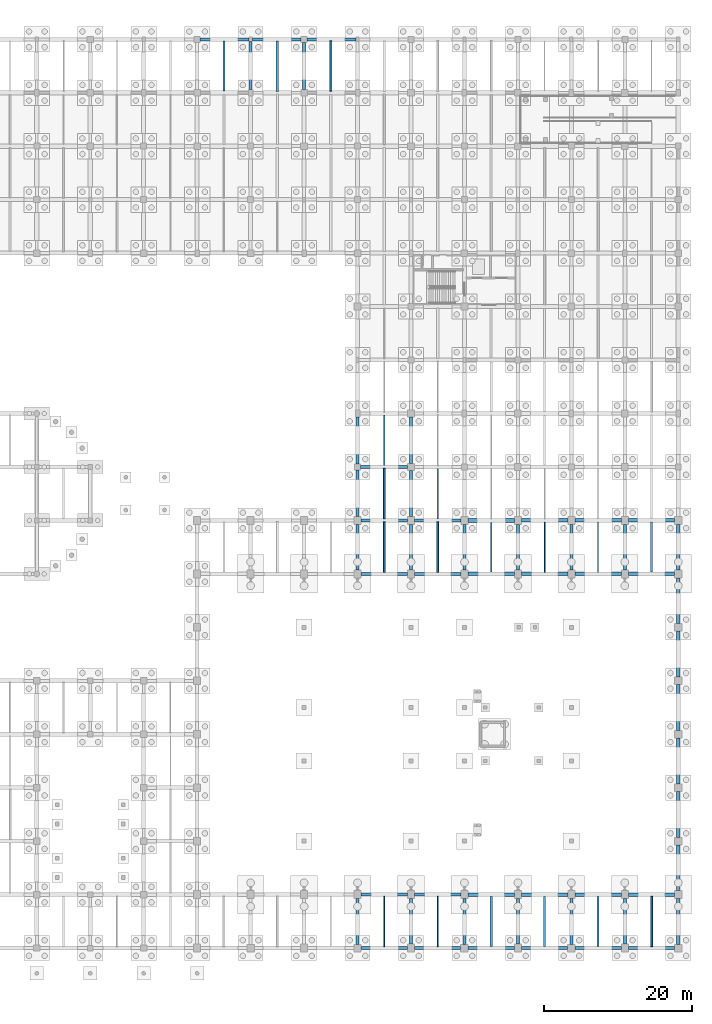
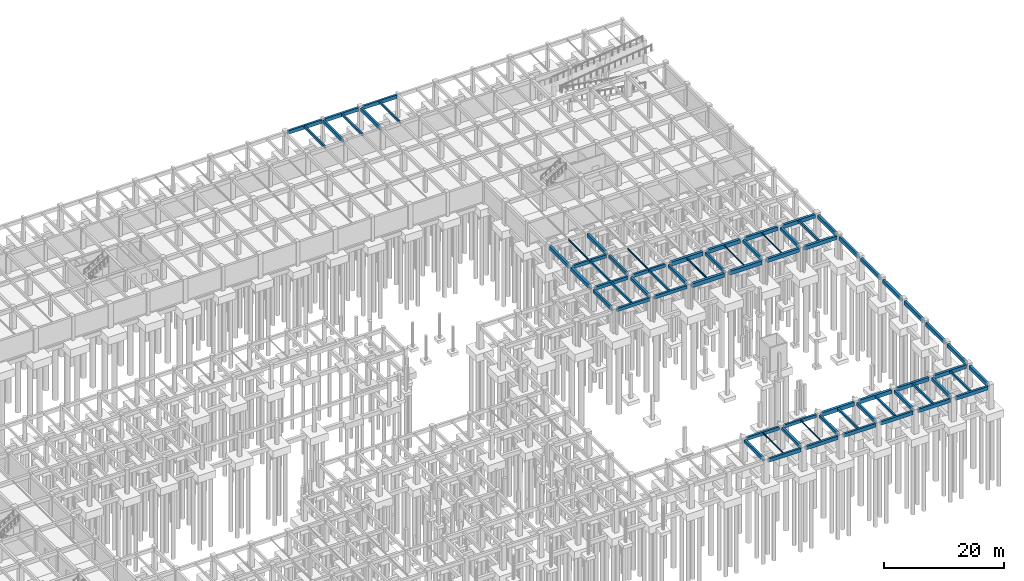
# One storey, part 33 of 47: 72 beams.
"""IFC4 building model written with IfcOpenShell, lengths in metres."""

from ifc_helpers import new_model, si_unit, direction, frame, origin, origin_2d, place, context, subcontext, project, spatial, rectangle, i_section, extrude, material, material_profile, profile_set, type_object, element, save


model = new_model("IFC4")

# Units and contexts
model_context = context("Model", 3, precision=1e-05, world=origin(), true_north=direction((0.0, 1.0)))
body_context = subcontext(model_context, "Body", "Model", "MODEL_VIEW")
ifc_project = project(units=[si_unit("LENGTHUNIT", "METRE"), si_unit("AREAUNIT", "SQUARE_METRE"), si_unit("VOLUMEUNIT", "CUBIC_METRE"), si_unit("PLANEANGLEUNIT", "RADIAN"), si_unit("MASSUNIT", "GRAM", prefix="KILO")], contexts=[model_context])

# Site, building, storey
site_placement = place(None, origin())
site = spatial("IfcSite", under=ifc_project, at=site_placement, CompositionType="ELEMENT")
building_placement = place(site_placement, origin())
building = spatial("IfcBuilding", under=site, at=building_placement, Name="Thalmaran Polytechnic", CompositionType="ELEMENT")
storey_placement = place(building_placement, frame((0.0, 0.0, -4.5)))
storey = spatial("IfcBuildingStorey", under=building, at=storey_placement, Name="B1", CompositionType="ELEMENT", Elevation=-4.5)

# Beams
ifc_material_1 = material(Name="Concrete C40/50", Category="concrete")
ifc_material_profile_1 = material_profile(ifc_material_1, rectangle(XDim=0.5, YDim=0.800048828125, at=origin_2d()), Name="RC 500x800")
ifc_profile_set_1 = profile_set([ifc_material_profile_1], Name="Concrete C40/50")
beam_type_1 = type_object("IfcBeamType", Name="BM-RC02", PredefinedType="BEAM", material=ifc_profile_set_1)
for number, where, z_axis, x_axis, name in (
    (1, (144.47509765625, 7.199951171875, 3.739990234375), (1.0, 0.0, 0.0), (0.0, 1.0, 0.0), "Grid Beam B02 B1 X(20,1)"),
    (2, (144.47509765625, 50.39990234375, 3.739990234375), (1.0, 0.0, 0.0), (0.0, 1.0, 0.0), "Grid Beam B02 B1 X(20,7)"),
    (3, (144.47509765625, 57.60009765625, 3.739990234375), (1.0, 0.0, 0.0), (0.0, 1.0, 0.0), "Grid Beam B02 B1 X(20,8)"),
):
    element("IfcBeam", number, at=place(storey_placement, frame(where, z_axis=z_axis, x_axis=x_axis)), inside=storey, type_object=beam_type_1, Name=name, PredefinedType="BEAM", context=body_context, shape_type="SweptSolid", body=[
        extrude(rectangle(XDim=0.5, YDim=0.800048828125, at=origin_2d()), origin(), (0.0, 0.0, 1.0), 6.25),
    ])
ifc_material_profile_2 = material_profile(ifc_material_1, rectangle(XDim=0.449951171875, YDim=0.75, at=origin_2d()), Name="RC 450x750")
ifc_profile_set_2 = profile_set([ifc_material_profile_2], Name="Concrete C40/50")
beam_type_2 = type_object("IfcBeamType", Name="BM-RC03", PredefinedType="BEAM", material=ifc_profile_set_2)
for number, where, z_axis, x_axis, name in (
    (4, (158.875, 7.199951171875, 3.764892578125), (1.0, 0.0, 0.0), (0.0, 1.0, 0.0), "Grid Beam B03 B1 X(22,1)"),
    (5, (158.875, 50.39990234375, 3.764892578125), (1.0, 0.0, 0.0), (0.0, 1.0, 0.0), "Grid Beam B03 B1 X(22,7)"),
    (6, (158.875, 57.60009765625, 3.764892578125), (1.0, 0.0, 0.0), (0.0, 1.0, 0.0), "Grid Beam B03 B1 X(22,8)"),
):
    element("IfcBeam", number, at=place(storey_placement, frame(where, z_axis=z_axis, x_axis=x_axis)), inside=storey, type_object=beam_type_2, Name=name, PredefinedType="BEAM", context=body_context, shape_type="SweptSolid", body=[
        extrude(rectangle(XDim=0.449951171875, YDim=0.75, at=origin_2d()), origin(), (0.0, 0.0, 1.0), 6.25),
    ])
ifc_material_profile_3 = material_profile(ifc_material_1, rectangle(XDim=0.39990234375, YDim=0.64990234375, at=origin_2d()), Name="RC 400x650")
ifc_profile_set_3 = profile_set([ifc_material_profile_3], Name="Concrete C40/50")
beam_type_3 = type_object("IfcBeamType", Name="BM-RC06", PredefinedType="BEAM", material=ifc_profile_set_3)
for number, where, z_axis, x_axis, name in (
    (7, (130.074951171875, 7.199951171875, 3.81494140625), (1.0, 0.0, 0.0), (0.0, 1.0, 0.0), "Grid Beam B06 B1 X(18,1)"),
    (8, (130.074951171875, 50.39990234375, 3.81494140625), (1.0, 0.0, 0.0), (0.0, 1.0, 0.0), "Grid Beam B06 B1 X(18,7)"),
    (9, (130.074951171875, 57.60009765625, 3.81494140625), (1.0, 0.0, 0.0), (0.0, 1.0, 0.0), "Grid Beam B06 B1 X(18,8)"),
):
    element("IfcBeam", number, at=place(storey_placement, frame(where, z_axis=z_axis, x_axis=x_axis)), inside=storey, type_object=beam_type_3, Name=name, PredefinedType="BEAM", context=body_context, shape_type="SweptSolid", body=[
        extrude(rectangle(XDim=0.39990234375, YDim=0.64990234375, at=origin_2d()), origin(), (0.0, 0.0, 1.0), 6.25),
    ])
beam_1_placement = place(storey_placement, frame((130.0, 64.800048828125, 3.864990234375), z_axis=(1.0, 0.0, 0.0), x_axis=(0.0, 1.0, 0.0)))
element("IfcBeam", 10, at=beam_1_placement, inside=storey, type_object=beam_type_3, Name="Grid Beam B06 B1 X(18,9)", PredefinedType="BEAM", context=body_context, shape_type="SweptSolid", body=[
    extrude(rectangle(XDim=0.39990234375, YDim=0.64990234375, at=origin_2d()), origin(), (0.0, 0.0, 1.0), 6.35009765625),
])
ifc_material_profile_4 = material_profile(ifc_material_1, rectangle(XDim=0.39990234375, YDim=0.6298828125, at=origin_2d()), Name="RC 400x630")
ifc_profile_set_4 = profile_set([ifc_material_profile_4], Name="Concrete C40/50")
beam_type_4 = type_object("IfcBeamType", Name="BM-RC07", PredefinedType="BEAM", material=ifc_profile_set_4)
beam_2_placement = place(storey_placement, frame((129.60009765625, 0.5, 3.824951171875), z_axis=(0.0, 1.0, 0.0), x_axis=(-1.0, 0.0, 0.0)))
element("IfcBeam", 11, at=beam_2_placement, inside=storey, type_object=beam_type_4, Name="Grid Beam B07 B1 Y(18,0)", PredefinedType="BEAM", context=body_context, shape_type="SweptSolid", body=[
    extrude(rectangle(XDim=0.39990234375, YDim=0.6298828125, at=origin_2d()), origin(), (0.0, 0.0, 1.0), 6.175048828125),
])
beam_3_placement = place(storey_placement, frame((129.60009765625, 50.925048828125, 3.824951171875), z_axis=(0.0, 1.0, 0.0), x_axis=(-1.0, 0.0, 0.0)))
element("IfcBeam", 12, at=beam_3_placement, inside=storey, type_object=beam_type_4, Name="Grid Beam B07 B1 Y(18,7)", PredefinedType="BEAM", context=body_context, shape_type="SweptSolid", body=[
    extrude(rectangle(XDim=0.39990234375, YDim=0.6298828125, at=origin_2d()), origin(), (0.0, 0.0, 1.0), 6.14990234375),
])
beam_4_placement = place(storey_placement, frame((136.800048828125, 0.52490234375, 3.824951171875), z_axis=(0.0, 1.0, 0.0), x_axis=(-1.0, 0.0, 0.0)))
element("IfcBeam", 13, at=beam_4_placement, inside=storey, type_object=beam_type_4, Name="Grid Beam B07 B1 Y(19,0)", PredefinedType="BEAM", context=body_context, shape_type="SweptSolid", body=[
    extrude(rectangle(XDim=0.39990234375, YDim=0.6298828125, at=origin_2d()), origin(), (0.0, 0.0, 1.0), 6.150146484375),
])
beam_5_placement = place(storey_placement, frame((136.800048828125, 50.925048828125, 3.824951171875), z_axis=(0.0, 1.0, 0.0), x_axis=(-1.0, 0.0, 0.0)))
element("IfcBeam", 14, at=beam_5_placement, inside=storey, type_object=beam_type_4, Name="Grid Beam B07 B1 Y(19,7)", PredefinedType="BEAM", context=body_context, shape_type="SweptSolid", body=[
    extrude(rectangle(XDim=0.39990234375, YDim=0.6298828125, at=origin_2d()), origin(), (0.0, 0.0, 1.0), 6.14990234375),
])
beam_6_placement = place(storey_placement, frame((144.0, 0.5, 3.824951171875), z_axis=(0.0, 1.0, 0.0), x_axis=(-1.0, 0.0, 0.0)))
element("IfcBeam", 15, at=beam_6_placement, inside=storey, type_object=beam_type_4, Name="Grid Beam B07 B1 Y(20,0)", PredefinedType="BEAM", context=body_context, shape_type="SweptSolid", body=[
    extrude(rectangle(XDim=0.39990234375, YDim=0.6298828125, at=origin_2d()), origin(), (0.0, 0.0, 1.0), 6.175048828125),
])
beam_7_placement = place(storey_placement, frame((144.0, 50.925048828125, 3.824951171875), z_axis=(0.0, 1.0, 0.0), x_axis=(-1.0, 0.0, 0.0)))
element("IfcBeam", 16, at=beam_7_placement, inside=storey, type_object=beam_type_4, Name="Grid Beam B07 B1 Y(20,7)", PredefinedType="BEAM", context=body_context, shape_type="SweptSolid", body=[
    extrude(rectangle(XDim=0.39990234375, YDim=0.6298828125, at=origin_2d()), origin(), (0.0, 0.0, 1.0), 6.14990234375),
])
beam_8_placement = place(storey_placement, frame((151.199951171875, 0.52490234375, 3.824951171875), z_axis=(0.0, 1.0, 0.0), x_axis=(-1.0, 0.0, 0.0)))
element("IfcBeam", 17, at=beam_8_placement, inside=storey, type_object=beam_type_4, Name="Grid Beam B07 B1 Y(21,0)", PredefinedType="BEAM", context=body_context, shape_type="SweptSolid", body=[
    extrude(rectangle(XDim=0.39990234375, YDim=0.6298828125, at=origin_2d()), origin(), (0.0, 0.0, 1.0), 6.150146484375),
])
beam_9_placement = place(storey_placement, frame((151.199951171875, 50.925048828125, 3.824951171875), z_axis=(0.0, 1.0, 0.0), x_axis=(-1.0, 0.0, 0.0)))
element("IfcBeam", 18, at=beam_9_placement, inside=storey, type_object=beam_type_4, Name="Grid Beam B07 B1 Y(21,7)", PredefinedType="BEAM", context=body_context, shape_type="SweptSolid", body=[
    extrude(rectangle(XDim=0.39990234375, YDim=0.6298828125, at=origin_2d()), origin(), (0.0, 0.0, 1.0), 6.14990234375),
])
beam_10_placement = place(storey_placement, frame((158.39990234375, 0.5, 3.824951171875), z_axis=(0.0, 1.0, 0.0), x_axis=(-1.0, 0.0, 0.0)))
element("IfcBeam", 19, at=beam_10_placement, inside=storey, type_object=beam_type_4, Name="Grid Beam B07 B1 Y(22,0)", PredefinedType="BEAM", context=body_context, shape_type="SweptSolid", body=[
    extrude(rectangle(XDim=0.39990234375, YDim=0.6298828125, at=origin_2d()), origin(), (0.0, 0.0, 1.0), 6.175048828125),
])
beam_11_placement = place(storey_placement, frame((158.39990234375, 50.925048828125, 3.824951171875), z_axis=(0.0, 1.0, 0.0), x_axis=(-1.0, 0.0, 0.0)))
element("IfcBeam", 20, at=beam_11_placement, inside=storey, type_object=beam_type_4, Name="Grid Beam B07 B1 Y(22,7)", PredefinedType="BEAM", context=body_context, shape_type="SweptSolid", body=[
    extrude(rectangle(XDim=0.39990234375, YDim=0.6298828125, at=origin_2d()), origin(), (0.0, 0.0, 1.0), 6.14990234375),
])
beam_12_placement = place(storey_placement, frame((165.60009765625, 0.52490234375, 3.824951171875), z_axis=(0.0, 1.0, 0.0), x_axis=(-1.0, 0.0, 0.0)))
element("IfcBeam", 21, at=beam_12_placement, inside=storey, type_object=beam_type_4, Name="Grid Beam B07 B1 Y(23,0)", PredefinedType="BEAM", context=body_context, shape_type="SweptSolid", body=[
    extrude(rectangle(XDim=0.39990234375, YDim=0.6298828125, at=origin_2d()), origin(), (0.0, 0.0, 1.0), 6.150146484375),
])
beam_13_placement = place(storey_placement, frame((165.60009765625, 50.925048828125, 3.824951171875), z_axis=(0.0, 1.0, 0.0), x_axis=(-1.0, 0.0, 0.0)))
element("IfcBeam", 22, at=beam_13_placement, inside=storey, type_object=beam_type_4, Name="Grid Beam B07 B1 Y(23,7)", PredefinedType="BEAM", context=body_context, shape_type="SweptSolid", body=[
    extrude(rectangle(XDim=0.39990234375, YDim=0.6298828125, at=origin_2d()), origin(), (0.0, 0.0, 1.0), 6.14990234375),
])
ifc_material_profile_5 = material_profile(ifc_material_1, rectangle(XDim=0.389892578125, YDim=0.68505859375, at=origin_2d()), Name="RC 390x685")
ifc_profile_set_5 = profile_set([ifc_material_profile_5], Name="Concrete C40/50")
beam_type_5 = type_object("IfcBeamType", Name="BM-RC08", PredefinedType="BEAM", material=ifc_profile_set_5)
beam_14_placement = place(storey_placement, frame((115.199951171875, 115.64990234375, 3.827392578125), z_axis=(0.0, 1.0, 0.0), x_axis=(-1.0, 0.0, 0.0)))
element("IfcBeam", 23, at=beam_14_placement, inside=storey, type_object=beam_type_5, Name="Grid Beam B08 B1 Y(16,16)", PredefinedType="BEAM", context=body_context, shape_type="SweptSolid", body=[
    extrude(rectangle(XDim=0.389892578125, YDim=0.68505859375, at=origin_2d()), origin(), (0.0, 0.0, 1.0), 6.425048828125),
])
beam_15_placement = place(storey_placement, frame((122.39990234375, 115.639892578125, 3.827392578125), z_axis=(0.0, 1.0, 0.0), x_axis=(-1.0, 0.0, 0.0)))
element("IfcBeam", 24, at=beam_15_placement, inside=storey, type_object=beam_type_5, Name="Grid Beam B08 B1 Y(17,16)", PredefinedType="BEAM", context=body_context, shape_type="SweptSolid", body=[
    extrude(rectangle(XDim=0.389892578125, YDim=0.68505859375, at=origin_2d()), origin(), (0.0, 0.0, 1.0), 6.35009765625),
])
beam_16_placement = place(storey_placement, frame((136.800048828125, 65.25, 3.847412109375), z_axis=(0.0, 1.0, 0.0), x_axis=(-1.0, 0.0, 0.0)))
element("IfcBeam", 25, at=beam_16_placement, inside=storey, type_object=beam_type_5, Name="Grid Beam B08 B1 Y(19,9)", PredefinedType="BEAM", context=body_context, shape_type="SweptSolid", body=[
    extrude(rectangle(XDim=0.389892578125, YDim=0.68505859375, at=origin_2d()), origin(), (0.0, 0.0, 1.0), 6.31005859375),
])
ifc_material_profile_6 = material_profile(ifc_material_1, rectangle(XDim=0.300048828125, YDim=0.5, at=origin_2d()), Name="RC 300x500")
ifc_profile_set_6 = profile_set([ifc_material_profile_6], Name="Concrete C40/50")
beam_type_6 = type_object("IfcBeamType", Name="BM-RC11", PredefinedType="JOIST", material=ifc_profile_set_6)
beam_17_placement = place(storey_placement, frame((147.60009765625, 0.199951171875, 3.889892578125), z_axis=(0.0, 1.0, 0.0), x_axis=(-1.0, 0.0, 0.0)))
element("IfcBeam", 26, at=beam_17_placement, inside=storey, type_object=beam_type_6, Name="Secondary Floor Rib RB01 B1 (20,0)", PredefinedType="JOIST", context=body_context, shape_type="SweptSolid", body=[
    extrude(rectangle(XDim=0.300048828125, YDim=0.5, at=origin_2d()), origin(), (0.0, 0.0, 1.0), 6.75),
])
beam_18_placement = place(storey_placement, frame((169.199951171875, 50.6298828125, 3.889892578125), z_axis=(0.0, 1.0, 0.0), x_axis=(-1.0, 0.0, 0.0)))
element("IfcBeam", 27, at=beam_18_placement, inside=storey, type_object=beam_type_6, Name="Secondary Floor Rib RB01 B1 (23,7)", PredefinedType="JOIST", context=body_context, shape_type="SweptSolid", body=[
    extrude(rectangle(XDim=0.300048828125, YDim=0.5, at=origin_2d()), origin(), (0.0, 0.0, 1.0), 6.740234375),
])
ifc_material_profile_7 = material_profile(ifc_material_1, rectangle(XDim=0.300048828125, YDim=0.449951171875, at=origin_2d()), Name="RC 300x450")
ifc_profile_set_7 = profile_set([ifc_material_profile_7], Name="Concrete C40/50")
beam_type_7 = type_object("IfcBeamType", Name="BM-RC12", PredefinedType="JOIST", material=ifc_profile_set_7)
beam_19_placement = place(storey_placement, frame((118.800048828125, 115.39990234375, 3.945068359375), z_axis=(0.0, 1.0, 0.0), x_axis=(-1.0, 0.0, 0.0)))
element("IfcBeam", 28, at=beam_19_placement, inside=storey, type_object=beam_type_7, Name="Secondary Floor Rib RB02 B1 (16,16)", PredefinedType="JOIST", context=body_context, shape_type="SweptSolid", body=[
    extrude(rectangle(XDim=0.300048828125, YDim=0.449951171875, at=origin_2d()), origin(), (0.0, 0.0, 1.0), 6.800048828125),
])
beam_20_placement = place(storey_placement, frame((162.0, 0.199951171875, 3.9150390625), z_axis=(0.0, 1.0, 0.0), x_axis=(-1.0, 0.0, 0.0)))
element("IfcBeam", 29, at=beam_20_placement, inside=storey, type_object=beam_type_7, Name="Secondary Floor Rib RB02 B1 (22,0)", PredefinedType="JOIST", context=body_context, shape_type="SweptSolid", body=[
    extrude(rectangle(XDim=0.300048828125, YDim=0.449951171875, at=origin_2d()), origin(), (0.0, 0.0, 1.0), 6.775146484375),
])
ifc_material_2 = material(Name="Steel S355", Category="steel")
ifc_material_profile_8 = material_profile(ifc_material_2, i_section(OverallWidth=0.159912109375, OverallDepth=0.330078125, WebThickness=0.007568359375, FlangeThickness=0.011474609375, at=origin_2d()), Name="IPE 330")
ifc_profile_set_8 = profile_set([ifc_material_profile_8], Name="Steel S355")
beam_type_8 = type_object("IfcBeamType", Name="BM-SJ02", PredefinedType="JOIST", material=ifc_profile_set_8)
beam_21_placement = place(storey_placement, frame((133.199951171875, 65.0, 4.02490234375), z_axis=(0.0, 1.0, 0.0), x_axis=(-1.0, 0.0, 0.0)))
element("IfcBeam", 30, at=beam_21_placement, inside=storey, type_object=beam_type_8, Name="Secondary Floor Rib SJ02 B1 (18,9)", PredefinedType="JOIST", context=body_context, shape_type="SweptSolid", body=[
    extrude(i_section(OverallWidth=0.159912109375, OverallDepth=0.330078125, WebThickness=0.007568359375, FlangeThickness=0.011474609375, at=origin_2d()), origin(), (0.0, 0.0, 1.0), 6.800048828125),
])
beam_22_placement = place(storey_placement, frame((140.39990234375, 57.7900390625, 4.02490234375), z_axis=(0.0, 1.0, 0.0), x_axis=(-1.0, 0.0, 0.0)))
element("IfcBeam", 31, at=beam_22_placement, inside=storey, type_object=beam_type_8, Name="Secondary Floor Rib SJ02 B1 (19,8)", PredefinedType="JOIST", context=body_context, shape_type="SweptSolid", body=[
    extrude(i_section(OverallWidth=0.159912109375, OverallDepth=0.330078125, WebThickness=0.007568359375, FlangeThickness=0.011474609375, at=origin_2d()), origin(), (0.0, 0.0, 1.0), 6.820068359375),
])
beam_23_placement = place(storey_placement, frame((147.60009765625, 50.64990234375, 3.97509765625), z_axis=(0.0, 1.0, 0.0), x_axis=(-1.0, 0.0, 0.0)))
element("IfcBeam", 32, at=beam_23_placement, inside=storey, type_object=beam_type_8, Name="Secondary Floor Rib SJ02 B1 (20,7)", PredefinedType="JOIST", context=body_context, shape_type="SweptSolid", body=[
    extrude(i_section(OverallWidth=0.159912109375, OverallDepth=0.330078125, WebThickness=0.007568359375, FlangeThickness=0.011474609375, at=origin_2d()), origin(), (0.0, 0.0, 1.0), 6.7001953125),
])
ifc_material_profile_9 = material_profile(ifc_material_2, i_section(OverallWidth=0.135009765625, OverallDepth=0.27001953125, WebThickness=0.006591796875, FlangeThickness=0.01025390625, at=origin_2d()), Name="IPE 270")
ifc_profile_set_9 = profile_set([ifc_material_profile_9], Name="Steel S355")
beam_type_9 = type_object("IfcBeamType", Name="BM-SJ03", PredefinedType="JOIST", material=ifc_profile_set_9)
beam_24_placement = place(storey_placement, frame((133.199951171875, 0.199951171875, 4.0048828125), z_axis=(0.0, 1.0, 0.0), x_axis=(-1.0, 0.0, 0.0)))
element("IfcBeam", 33, at=beam_24_placement, inside=storey, type_object=beam_type_9, Name="Secondary Floor Rib SJ03 B1 (18,0)", PredefinedType="JOIST", context=body_context, shape_type="SweptSolid", body=[
    extrude(i_section(OverallWidth=0.135009765625, OverallDepth=0.27001953125, WebThickness=0.006591796875, FlangeThickness=0.01025390625, at=origin_2d()), origin(), (0.0, 0.0, 1.0), 6.800048828125),
])
beam_25_placement = place(storey_placement, frame((154.800048828125, 50.639892578125, 4.0048828125), z_axis=(0.0, 1.0, 0.0), x_axis=(-1.0, 0.0, 0.0)))
element("IfcBeam", 34, at=beam_25_placement, inside=storey, type_object=beam_type_9, Name="Secondary Floor Rib SJ03 B1 (21,7)", PredefinedType="JOIST", context=body_context, shape_type="SweptSolid", body=[
    extrude(i_section(OverallWidth=0.135009765625, OverallDepth=0.27001953125, WebThickness=0.006591796875, FlangeThickness=0.01025390625, at=origin_2d()), origin(), (0.0, 0.0, 1.0), 6.72021484375),
])
ifc_material_profile_10 = material_profile(ifc_material_2, i_section(OverallWidth=0.110107421875, OverallDepth=0.219970703125, WebThickness=0.005859375, FlangeThickness=0.00927734375, at=origin_2d()), Name="IPE 220")
ifc_profile_set_10 = profile_set([ifc_material_profile_10], Name="Steel S355")
beam_type_10 = type_object("IfcBeamType", Name="BM-SJ04", PredefinedType="JOIST", material=ifc_profile_set_10)
beam_26_placement = place(storey_placement, frame((140.39990234375, 0.199951171875, 4.030029296875), z_axis=(0.0, 1.0, 0.0), x_axis=(-1.0, 0.0, 0.0)))
element("IfcBeam", 35, at=beam_26_placement, inside=storey, type_object=beam_type_10, Name="Secondary Floor Rib SJ04 B1 (19,0)", PredefinedType="JOIST", context=body_context, shape_type="SweptSolid", body=[
    extrude(i_section(OverallWidth=0.110107421875, OverallDepth=0.219970703125, WebThickness=0.005859375, FlangeThickness=0.00927734375, at=origin_2d()), origin(), (0.0, 0.0, 1.0), 6.81005859375),
])
beam_27_placement = place(storey_placement, frame((162.0, 50.625, 4.030029296875), z_axis=(0.0, 1.0, 0.0), x_axis=(-1.0, 0.0, 0.0)))
element("IfcBeam", 36, at=beam_27_placement, inside=storey, type_object=beam_type_10, Name="Secondary Floor Rib SJ04 B1 (22,7)", PredefinedType="JOIST", context=body_context, shape_type="SweptSolid", body=[
    extrude(i_section(OverallWidth=0.110107421875, OverallDepth=0.219970703125, WebThickness=0.005859375, FlangeThickness=0.00927734375, at=origin_2d()), origin(), (0.0, 0.0, 1.0), 6.75),
])
ifc_material_profile_11 = material_profile(ifc_material_1, rectangle(XDim=0.39990234375, YDim=0.719970703125, at=origin_2d()), Name="RC 400x720")
ifc_profile_set_11 = profile_set([ifc_material_profile_11], Name="Concrete C40/50")
beam_type_11 = type_object("IfcBeamType", Name="BM-SP01", PredefinedType="SPANDREL", material=ifc_profile_set_11)
beam_28_placement = place(storey_placement, frame((108.409912109375, 122.39990234375, 3.81005859375), z_axis=(1.0, 0.0, 0.0), x_axis=(0.0, 1.0, 0.0)))
element("IfcBeam", 37, at=beam_28_placement, inside=storey, type_object=beam_type_11, Name="Grid Beam SP01 B1 X(15,17)", PredefinedType="SPANDREL", context=body_context, shape_type="SweptSolid", body=[
    extrude(rectangle(XDim=0.39990234375, YDim=0.719970703125, at=origin_2d()), origin(), (0.0, 0.0, 1.0), 6.565185546875),
])
for number, where, z_axis, x_axis, name in (
    (38, (115.425048828125, 122.39990234375, 3.81005859375), (1.0, 0.0, 0.0), (0.0, 1.0, 0.0), "Grid Beam SP01 B1 X(16,17)"),
    (39, (122.81005859375, 122.39990234375, 3.81005859375), (1.0, 0.0, 0.0), (0.0, 1.0, 0.0), "Grid Beam SP01 B1 X(17,17)"),
):
    element("IfcBeam", number, at=place(storey_placement, frame(where, z_axis=z_axis, x_axis=x_axis)), inside=storey, type_object=beam_type_11, Name=name, PredefinedType="SPANDREL", context=body_context, shape_type="SweptSolid", body=[
        extrude(rectangle(XDim=0.39990234375, YDim=0.719970703125, at=origin_2d()), origin(), (0.0, 0.0, 1.0), 6.56494140625),
    ])
beam_29_placement = place(storey_placement, frame((130.10009765625, 0.0, 3.780029296875), z_axis=(1.0, 0.0, 0.0), x_axis=(0.0, 1.0, 0.0)))
element("IfcBeam", 40, at=beam_29_placement, inside=storey, type_object=beam_type_11, Name="Grid Beam SP01 B1 X(18,0)", PredefinedType="SPANDREL", context=body_context, shape_type="SweptSolid", body=[
    extrude(rectangle(XDim=0.39990234375, YDim=0.719970703125, at=origin_2d()), origin(), (0.0, 0.0, 1.0), 6.224853515625),
])
for number, where, z_axis, x_axis, name in (
    (41, (137.27490234375, 0.0, 3.780029296875), (1.0, 0.0, 0.0), (0.0, 1.0, 0.0), "Grid Beam SP01 B1 X(19,0)"),
    (42, (144.5, 0.0, 3.780029296875), (1.0, 0.0, 0.0), (0.0, 1.0, 0.0), "Grid Beam SP01 B1 X(20,0)"),
):
    element("IfcBeam", number, at=place(storey_placement, frame(where, z_axis=z_axis, x_axis=x_axis)), inside=storey, type_object=beam_type_11, Name=name, PredefinedType="SPANDREL", context=body_context, shape_type="SweptSolid", body=[
        extrude(rectangle(XDim=0.39990234375, YDim=0.719970703125, at=origin_2d()), origin(), (0.0, 0.0, 1.0), 6.22509765625),
    ])
beam_30_placement = place(storey_placement, frame((151.675048828125, 0.0, 3.780029296875), z_axis=(1.0, 0.0, 0.0), x_axis=(0.0, 1.0, 0.0)))
element("IfcBeam", 43, at=beam_30_placement, inside=storey, type_object=beam_type_11, Name="Grid Beam SP01 B1 X(21,0)", PredefinedType="SPANDREL", context=body_context, shape_type="SweptSolid", body=[
    extrude(rectangle(XDim=0.39990234375, YDim=0.719970703125, at=origin_2d()), origin(), (0.0, 0.0, 1.0), 6.224853515625),
])
for number, where, z_axis, x_axis, name in (
    (44, (158.89990234375, 0.0, 3.780029296875), (1.0, 0.0, 0.0), (0.0, 1.0, 0.0), "Grid Beam SP01 B1 X(22,0)"),
    (45, (166.074951171875, 0.0, 3.780029296875), (1.0, 0.0, 0.0), (0.0, 1.0, 0.0), "Grid Beam SP01 B1 X(23,0)"),
):
    element("IfcBeam", number, at=place(storey_placement, frame(where, z_axis=z_axis, x_axis=x_axis)), inside=storey, type_object=beam_type_11, Name=name, PredefinedType="SPANDREL", context=body_context, shape_type="SweptSolid", body=[
        extrude(rectangle(XDim=0.39990234375, YDim=0.719970703125, at=origin_2d()), origin(), (0.0, 0.0, 1.0), 6.22509765625),
    ])
ifc_material_profile_12 = material_profile(ifc_material_1, rectangle(XDim=0.449951171875, YDim=0.7548828125, at=origin_2d()), Name="RC 450x755")
ifc_profile_set_12 = profile_set([ifc_material_profile_12], Name="Concrete C40/50")
beam_type_12 = type_object("IfcBeamType", Name="BM-SP02", PredefinedType="SPANDREL", material=ifc_profile_set_12)
beam_31_placement = place(storey_placement, frame((129.60009765625, 58.125, 3.8125), z_axis=(0.0, 1.0, 0.0), x_axis=(-1.0, 0.0, 0.0)))
element("IfcBeam", 46, at=beam_31_placement, inside=storey, type_object=beam_type_12, Name="Grid Beam SP02 B1 Y(18,8)", PredefinedType="SPANDREL", context=body_context, shape_type="SweptSolid", body=[
    extrude(rectangle(XDim=0.449951171875, YDim=0.7548828125, at=origin_2d()), origin(), (0.0, 0.0, 1.0), 6.27490234375),
])
beam_32_placement = place(storey_placement, frame((129.60009765625, 65.199951171875, 3.8125), z_axis=(0.0, 1.0, 0.0), x_axis=(-1.0, 0.0, 0.0)))
element("IfcBeam", 47, at=beam_32_placement, inside=storey, type_object=beam_type_12, Name="Grid Beam SP02 B1 Y(18,9)", PredefinedType="SPANDREL", context=body_context, shape_type="SweptSolid", body=[
    extrude(rectangle(XDim=0.449951171875, YDim=0.7548828125, at=origin_2d()), origin(), (0.0, 0.0, 1.0), 6.35009765625),
])
beam_33_placement = place(storey_placement, frame((172.800048828125, 0.5, 3.762451171875), z_axis=(0.0, 1.0, 0.0), x_axis=(-1.0, 0.0, 0.0)))
element("IfcBeam", 48, at=beam_33_placement, inside=storey, type_object=beam_type_12, Name="Grid Beam SP02 B1 Y(24,0)", PredefinedType="SPANDREL", context=body_context, shape_type="SweptSolid", body=[
    extrude(rectangle(XDim=0.449951171875, YDim=0.7548828125, at=origin_2d()), origin(), (0.0, 0.0, 1.0), 6.175048828125),
])
for number, where, z_axis, x_axis, name in (
    (49, (172.800048828125, 7.72509765625, 3.762451171875), (0.0, 1.0, 0.0), (-1.0, 0.0, 0.0), "Grid Beam SP02 B1 Y(24,1)"),
    (50, (172.800048828125, 14.925048828125, 3.762451171875), (0.0, 1.0, 0.0), (-1.0, 0.0, 0.0), "Grid Beam SP02 B1 Y(24,2)"),
    (51, (172.800048828125, 22.125, 3.762451171875), (0.0, 1.0, 0.0), (-1.0, 0.0, 0.0), "Grid Beam SP02 B1 Y(24,3)"),
):
    element("IfcBeam", number, at=place(storey_placement, frame(where, z_axis=z_axis, x_axis=x_axis)), inside=storey, type_object=beam_type_12, Name=name, PredefinedType="SPANDREL", context=body_context, shape_type="SweptSolid", body=[
        extrude(rectangle(XDim=0.449951171875, YDim=0.7548828125, at=origin_2d()), origin(), (0.0, 0.0, 1.0), 6.14990234375),
    ])
for number, where, z_axis, x_axis, name in (
    (52, (172.800048828125, 29.324951171875, 3.762451171875), (0.0, 1.0, 0.0), (-1.0, 0.0, 0.0), "Grid Beam SP02 B1 Y(24,4)"),
    (53, (172.800048828125, 36.52490234375, 3.762451171875), (0.0, 1.0, 0.0), (-1.0, 0.0, 0.0), "Grid Beam SP02 B1 Y(24,5)"),
):
    element("IfcBeam", number, at=place(storey_placement, frame(where, z_axis=z_axis, x_axis=x_axis)), inside=storey, type_object=beam_type_12, Name=name, PredefinedType="SPANDREL", context=body_context, shape_type="SweptSolid", body=[
        extrude(rectangle(XDim=0.449951171875, YDim=0.7548828125, at=origin_2d()), origin(), (0.0, 0.0, 1.0), 6.150146484375),
    ])
for number, where, z_axis, x_axis, name in (
    (54, (172.800048828125, 43.72509765625, 3.762451171875), (0.0, 1.0, 0.0), (-1.0, 0.0, 0.0), "Grid Beam SP02 B1 Y(24,6)"),
    (55, (172.800048828125, 50.925048828125, 3.762451171875), (0.0, 1.0, 0.0), (-1.0, 0.0, 0.0), "Grid Beam SP02 B1 Y(24,7)"),
):
    element("IfcBeam", number, at=place(storey_placement, frame(where, z_axis=z_axis, x_axis=x_axis)), inside=storey, type_object=beam_type_12, Name=name, PredefinedType="SPANDREL", context=body_context, shape_type="SweptSolid", body=[
        extrude(rectangle(XDim=0.449951171875, YDim=0.7548828125, at=origin_2d()), origin(), (0.0, 0.0, 1.0), 6.14990234375),
    ])
ifc_material_profile_13 = material_profile(ifc_material_1, rectangle(XDim=0.47998046875, YDim=0.780029296875, at=origin_2d()), Name="RC 480x780")
ifc_profile_set_13 = profile_set([ifc_material_profile_13], Name="Concrete C40/50")
beam_type_13 = type_object("IfcBeamType", Name="BM-ZB01", PredefinedType="BEAM", material=ifc_profile_set_13)
for number, where, z_axis, x_axis, name in (
    (56, (151.675048828125, 7.199951171875, 3.75), (1.0, 0.0, 0.0), (0.0, 1.0, 0.0), "Grid Beam ZB01 B1 X(21,1)"),
    (57, (151.675048828125, 50.39990234375, 3.75), (1.0, 0.0, 0.0), (0.0, 1.0, 0.0), "Grid Beam ZB01 B1 X(21,7)"),
    (58, (151.675048828125, 57.60009765625, 3.75), (1.0, 0.0, 0.0), (0.0, 1.0, 0.0), "Grid Beam ZB01 B1 X(21,8)"),
):
    element("IfcBeam", number, at=place(storey_placement, frame(where, z_axis=z_axis, x_axis=x_axis)), inside=storey, type_object=beam_type_13, Name=name, PredefinedType="BEAM", context=body_context, shape_type="SweptSolid", body=[
        extrude(rectangle(XDim=0.47998046875, YDim=0.780029296875, at=origin_2d()), origin(), (0.0, 0.0, 1.0), 6.25),
    ])
ifc_material_profile_14 = material_profile(ifc_material_1, rectangle(XDim=0.4599609375, YDim=0.739990234375, at=origin_2d()), Name="RC 460x740")
ifc_profile_set_14 = profile_set([ifc_material_profile_14], Name="Concrete C40/50")
beam_type_14 = type_object("IfcBeamType", Name="BM-ZB02", PredefinedType="BEAM", material=ifc_profile_set_14)
for number, where, z_axis, x_axis, name in (
    (59, (166.074951171875, 7.199951171875, 3.77001953125), (1.0, 0.0, 0.0), (0.0, 1.0, 0.0), "Grid Beam ZB02 B1 X(23,1)"),
    (60, (166.074951171875, 50.39990234375, 3.77001953125), (1.0, 0.0, 0.0), (0.0, 1.0, 0.0), "Grid Beam ZB02 B1 X(23,7)"),
    (61, (166.074951171875, 57.60009765625, 3.77001953125), (1.0, 0.0, 0.0), (0.0, 1.0, 0.0), "Grid Beam ZB02 B1 X(23,8)"),
):
    element("IfcBeam", number, at=place(storey_placement, frame(where, z_axis=z_axis, x_axis=x_axis)), inside=storey, type_object=beam_type_14, Name=name, PredefinedType="BEAM", context=body_context, shape_type="SweptSolid", body=[
        extrude(rectangle(XDim=0.4599609375, YDim=0.739990234375, at=origin_2d()), origin(), (0.0, 0.0, 1.0), 6.25),
    ])
ifc_material_profile_15 = material_profile(ifc_material_1, rectangle(XDim=0.3798828125, YDim=0.639892578125, at=origin_2d()), Name="RC 380x640")
ifc_profile_set_15 = profile_set([ifc_material_profile_15], Name="Concrete C40/50")
beam_type_15 = type_object("IfcBeamType", Name="BM-ZB05", PredefinedType="BEAM", material=ifc_profile_set_15)
for number, where, z_axis, x_axis, name in (
    (62, (137.27490234375, 7.199951171875, 3.820068359375), (1.0, 0.0, 0.0), (0.0, 1.0, 0.0), "Grid Beam ZB05 B1 X(19,1)"),
    (63, (137.27490234375, 50.39990234375, 3.820068359375), (1.0, 0.0, 0.0), (0.0, 1.0, 0.0), "Grid Beam ZB05 B1 X(19,7)"),
    (64, (137.27490234375, 57.60009765625, 3.820068359375), (1.0, 0.0, 0.0), (0.0, 1.0, 0.0), "Grid Beam ZB05 B1 X(19,8)"),
):
    element("IfcBeam", number, at=place(storey_placement, frame(where, z_axis=z_axis, x_axis=x_axis)), inside=storey, type_object=beam_type_15, Name=name, PredefinedType="BEAM", context=body_context, shape_type="SweptSolid", body=[
        extrude(rectangle(XDim=0.3798828125, YDim=0.639892578125, at=origin_2d()), origin(), (0.0, 0.0, 1.0), 6.25),
    ])
ifc_material_profile_16 = material_profile(ifc_material_1, rectangle(XDim=0.3798828125, YDim=0.635009765625, at=origin_2d()), Name="RC 380x635")
ifc_profile_set_16 = profile_set([ifc_material_profile_16], Name="Concrete C40/50")
beam_type_16 = type_object("IfcBeamType", Name="BM-ZB06", PredefinedType="BEAM", material=ifc_profile_set_16)
beam_34_placement = place(storey_placement, frame((136.800048828125, 58.125, 3.87255859375), z_axis=(0.0, 1.0, 0.0), x_axis=(-1.0, 0.0, 0.0)))
element("IfcBeam", 65, at=beam_34_placement, inside=storey, type_object=beam_type_16, Name="Grid Beam ZB06 B1 Y(19,8)", PredefinedType="BEAM", context=body_context, shape_type="SweptSolid", body=[
    extrude(rectangle(XDim=0.3798828125, YDim=0.635009765625, at=origin_2d()), origin(), (0.0, 0.0, 1.0), 6.22509765625),
])
ifc_material_profile_17 = material_profile(ifc_material_1, rectangle(XDim=0.280029296875, YDim=0.47998046875, at=origin_2d()), Name="RC 280x480")
ifc_profile_set_17 = profile_set([ifc_material_profile_17], Name="Concrete C40/50")
beam_type_17 = type_object("IfcBeamType", Name="BM-ZJ01", PredefinedType="JOIST", material=ifc_profile_set_17)
beam_35_placement = place(storey_placement, frame((111.60009765625, 115.419921875, 3.929931640625), z_axis=(0.0, 1.0, 0.0), x_axis=(-1.0, 0.0, 0.0)))
element("IfcBeam", 66, at=beam_35_placement, inside=storey, type_object=beam_type_17, Name="Secondary Floor Rib ZJ01 B1 (15,16)", PredefinedType="JOIST", context=body_context, shape_type="SweptSolid", body=[
    extrude(rectangle(XDim=0.280029296875, YDim=0.47998046875, at=origin_2d()), origin(), (0.0, 0.0, 1.0), 6.780029296875),
])
beam_36_placement = place(storey_placement, frame((154.800048828125, 0.199951171875, 3.89990234375), z_axis=(0.0, 1.0, 0.0), x_axis=(-1.0, 0.0, 0.0)))
element("IfcBeam", 67, at=beam_36_placement, inside=storey, type_object=beam_type_17, Name="Secondary Floor Rib ZJ01 B1 (21,0)", PredefinedType="JOIST", context=body_context, shape_type="SweptSolid", body=[
    extrude(rectangle(XDim=0.280029296875, YDim=0.47998046875, at=origin_2d()), origin(), (0.0, 0.0, 1.0), 6.760009765625),
])
ifc_material_profile_18 = material_profile(ifc_material_1, rectangle(XDim=0.260009765625, YDim=0.43994140625, at=origin_2d()), Name="RC 260x440")
ifc_profile_set_18 = profile_set([ifc_material_profile_18], Name="Concrete C40/50")
beam_type_18 = type_object("IfcBeamType", Name="BM-ZJ02", PredefinedType="JOIST", material=ifc_profile_set_18)
beam_37_placement = place(storey_placement, frame((126.0, 115.409912109375, 3.949951171875), z_axis=(0.0, 1.0, 0.0), x_axis=(-1.0, 0.0, 0.0)))
element("IfcBeam", 68, at=beam_37_placement, inside=storey, type_object=beam_type_18, Name="Secondary Floor Rib ZJ02 B1 (17,16)", PredefinedType="JOIST", context=body_context, shape_type="SweptSolid", body=[
    extrude(rectangle(XDim=0.260009765625, YDim=0.43994140625, at=origin_2d()), origin(), (0.0, 0.0, 1.0), 6.7900390625),
])
beam_38_placement = place(storey_placement, frame((169.199951171875, 0.199951171875, 3.919921875), z_axis=(0.0, 1.0, 0.0), x_axis=(-1.0, 0.0, 0.0)))
element("IfcBeam", 69, at=beam_38_placement, inside=storey, type_object=beam_type_18, Name="Secondary Floor Rib ZJ02 B1 (23,0)", PredefinedType="JOIST", context=body_context, shape_type="SweptSolid", body=[
    extrude(rectangle(XDim=0.260009765625, YDim=0.43994140625, at=origin_2d()), origin(), (0.0, 0.0, 1.0), 6.77001953125),
])
ifc_material_profile_19 = material_profile(ifc_material_1, rectangle(XDim=0.25, YDim=0.419921875, at=origin_2d()), Name="RC 250x420")
ifc_profile_set_19 = profile_set([ifc_material_profile_19], Name="Concrete C40/50")
beam_type_19 = type_object("IfcBeamType", Name="BM-ZJ03", PredefinedType="JOIST", material=ifc_profile_set_19)
beam_39_placement = place(storey_placement, frame((133.199951171875, 50.60009765625, 3.929931640625), z_axis=(0.0, 1.0, 0.0), x_axis=(-1.0, 0.0, 0.0)))
element("IfcBeam", 70, at=beam_39_placement, inside=storey, type_object=beam_type_19, Name="Secondary Floor Rib ZJ03 B1 (18,7)", PredefinedType="JOIST", context=body_context, shape_type="SweptSolid", body=[
    extrude(rectangle(XDim=0.25, YDim=0.419921875, at=origin_2d()), origin(), (0.0, 0.0, 1.0), 6.7998046875),
])
ifc_material_profile_20 = material_profile(ifc_material_1, rectangle(XDim=0.239990234375, YDim=0.39990234375, at=origin_2d()), Name="RC 240x400")
ifc_profile_set_20 = profile_set([ifc_material_profile_20], Name="Concrete C40/50")
beam_type_20 = type_object("IfcBeamType", Name="BM-ZJ04", PredefinedType="JOIST", material=ifc_profile_set_20)
beam_40_placement = place(storey_placement, frame((133.199951171875, 57.800048828125, 3.989990234375), z_axis=(0.0, 1.0, 0.0), x_axis=(-1.0, 0.0, 0.0)))
element("IfcBeam", 71, at=beam_40_placement, inside=storey, type_object=beam_type_20, Name="Secondary Floor Rib ZJ04 B1 (18,8)", PredefinedType="JOIST", context=body_context, shape_type="SweptSolid", body=[
    extrude(rectangle(XDim=0.239990234375, YDim=0.39990234375, at=origin_2d()), origin(), (0.0, 0.0, 1.0), 6.800048828125),
])
beam_41_placement = place(storey_placement, frame((140.39990234375, 50.590087890625, 3.93994140625), z_axis=(0.0, 1.0, 0.0), x_axis=(-1.0, 0.0, 0.0)))
element("IfcBeam", 72, at=beam_41_placement, inside=storey, type_object=beam_type_20, Name="Secondary Floor Rib ZJ04 B1 (19,7)", PredefinedType="JOIST", context=body_context, shape_type="SweptSolid", body=[
    extrude(rectangle(XDim=0.239990234375, YDim=0.39990234375, at=origin_2d()), origin(), (0.0, 0.0, 1.0), 6.81982421875),
])

save(model, "model.ifc")
